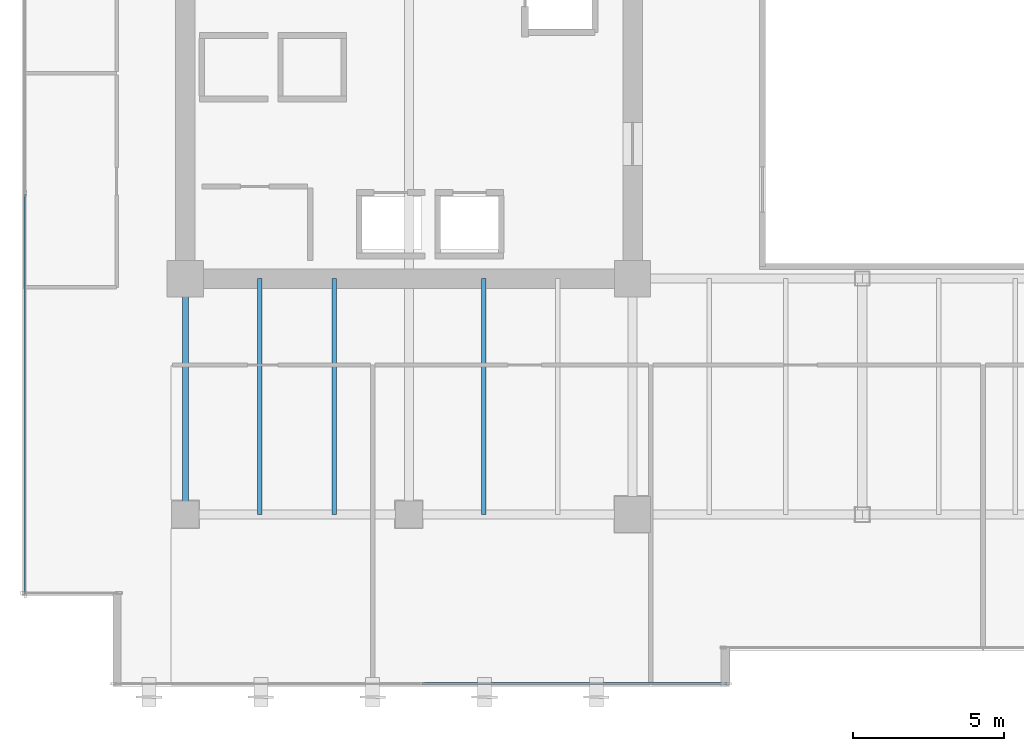
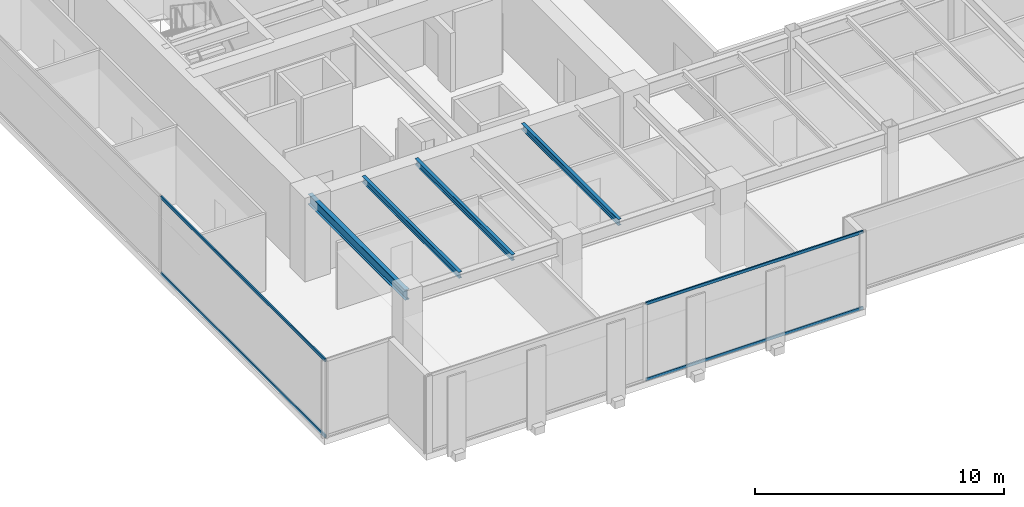
# One storey, part 3 of 34: 4 beams, 4 members, 2 elements without a shape of their own.
"""IFC4 building model written with IfcOpenShell, lengths in metres."""

from ifc_helpers import new_model, si_unit, direction, frame, origin, origin_2d, place, context, subcontext, project, spatial, hollow_rectangle, i_section, extrude, source, transform, mapped, material, layer, layer_set, material_profile, profile_set, type_object, type_shapes, element, aggregate, save


model = new_model("IFC4")

# Units and contexts
model_context = context("Model", 3, precision=1e-05, world=origin(), true_north=direction((0.0, 1.0)))
body_context = subcontext(model_context, "Body", "Model", "MODEL_VIEW")
ifc_project = project(units=[si_unit("LENGTHUNIT", "METRE"), si_unit("AREAUNIT", "SQUARE_METRE"), si_unit("VOLUMEUNIT", "CUBIC_METRE"), si_unit("PLANEANGLEUNIT", "RADIAN"), si_unit("MASSUNIT", "GRAM", prefix="KILO")], contexts=[model_context])

# Site, building, storey
site_placement = place(None, origin())
site = spatial("IfcSite", under=ifc_project, at=site_placement, CompositionType="ELEMENT")
building_placement = place(site_placement, origin())
building = spatial("IfcBuilding", under=site, at=building_placement, Name="Haelvirn Gate Laboratories", CompositionType="ELEMENT")
storey_placement = place(building_placement, frame((0.0, 0.0, 158.39990234375)))
storey = spatial("IfcBuildingStorey", under=building, at=storey_placement, Name="L38", CompositionType="ELEMENT", Elevation=158.39990234375)

# Beams
ifc_material_1 = material(Name="Steel SM355", Category="steel")
ifc_material_profile_1 = material_profile(ifc_material_1, i_section(OverallWidth=0.199951171875, OverallDepth=0.5, WebThickness=0.010009765625, FlangeThickness=0.01611328125, at=origin_2d()), Name="H-500x200x10x16")
ifc_profile_set_1 = profile_set([ifc_material_profile_1], Name="Steel SM355")
beam_type_1 = type_object("IfcBeamType", Name="BM-SP-500", PredefinedType="SPANDREL", material=ifc_profile_set_1)
shared_shape_1 = source(origin(), body_context, "Body", "SweptSolid", [
    extrude(i_section(OverallWidth=0.199951171875, OverallDepth=0.5, WebThickness=0.010009765625, FlangeThickness=0.01611328125, at=origin_2d()), origin(), (0.0, 0.0, 1.0), 7.800048828125),
])
type_shapes(beam_type_1, [shared_shape_1])
beam_placement = place(storey_placement, frame((7.39990234375, 7.0, 3.5400390625), z_axis=(0.0, 1.0, 0.0), x_axis=(-1.0, 0.0, 0.0)))
element("IfcBeam", 1, at=beam_placement, inside=storey, type_object=beam_type_1, Name="L38 Perimeter Spandrel X7.4 (7.0-14.8)", PredefinedType="SPANDREL", context=body_context, shape_type="MappedRepresentation", body=[
    mapped(shared_shape_1, transform((0.0, 0.0, 0.0), scale=1.0)),
])
ifc_material_profile_2 = material_profile(ifc_material_1, i_section(OverallWidth=0.14990234375, OverallDepth=0.300048828125, WebThickness=0.006591796875, FlangeThickness=0.009033203125, at=origin_2d()), Name="H-300x150x6.5x9")
ifc_profile_set_2 = profile_set([ifc_material_profile_2], Name="Steel SM355")
beam_type_2 = type_object("IfcBeamType", Name="BM-J-300", PredefinedType="JOIST", material=ifc_profile_set_2)
shared_shape_2 = source(origin(), body_context, "Body", "SweptSolid", [
    extrude(i_section(OverallWidth=0.14990234375, OverallDepth=0.300048828125, WebThickness=0.006591796875, FlangeThickness=0.009033203125, at=origin_2d()), origin(), (0.0, 0.0, 1.0), 7.800048828125),
])
type_shapes(beam_type_2, [shared_shape_2])
for number, where, z_axis, x_axis, name in (
    (2, (9.8701171875, 7.0, 3.64013671875), (0.0, 1.0, 0.0), (-1.0, 0.0, 0.0), "L38 Composite Lab Joist South X9.87"),
    (3, (12.330078125, 7.0, 3.64013671875), (0.0, 1.0, 0.0), (-1.0, 0.0, 0.0), "L38 Composite Lab Joist South X12.33"),
    (4, (17.27001953125, 7.0, 3.64013671875), (0.0, 1.0, 0.0), (-1.0, 0.0, 0.0), "L38 Composite Lab Joist South X17.27"),
):
    element("IfcBeam", number, at=place(storey_placement, frame(where, z_axis=z_axis, x_axis=x_axis)), inside=storey, type_object=beam_type_2, Name=name, PredefinedType="JOIST", context=body_context, shape_type="MappedRepresentation", body=[
        mapped(shared_shape_2, transform((0.0, 0.0, 0.0), scale=1.0)),
    ])

# Curtain wall, members
ifc_material_2 = material(Name="Anodised bronze unitised aluminium & triple low-E glass", Category="aluminium")
ifc_layer = layer(ifc_material_2, 0.179931640625, Name="CW-SYS-3")
ifc_layer_set = layer_set([ifc_layer], Name="Anodised bronze unitised aluminium & triple low-E glass")
curtain_wall_type = type_object("IfcCurtainWallType", Name="CW-SYS-3", PredefinedType="NOTDEFINED", material=ifc_layer_set)
curtain_wall_1_placement = place(storey_placement, origin())
curtain_wall_1 = element("IfcCurtainWall", 5, at=curtain_wall_1_placement, inside=storey, type_object=curtain_wall_type, Name="L38 Unitised Curtain Wall CW-L38-P0-E00-1", PredefinedType="NOTDEFINED")
ifc_material_3 = material(Name="Extruded aluminium 6063-T6 (anodised bronze)", Category="aluminium")
ifc_material_profile_3 = material_profile(ifc_material_3, hollow_rectangle(XDim=0.06494140625, YDim=0.139892578125, WallThickness=0.00390625, at=origin_2d()), Name="CWT-140x65x4")
ifc_profile_set_3 = profile_set([ifc_material_profile_3], Name="Extruded aluminium 6063-T6 (anodised bronze)")
member_type = type_object("IfcMemberType", Name="CWT-T140", PredefinedType="USERDEFINED", material=ifc_profile_set_3)
shared_shape_3 = source(origin(), body_context, "Body", "SweptSolid", [
    extrude(hollow_rectangle(XDim=0.06494140625, YDim=0.139892578125, WallThickness=0.00390625, at=origin_2d()), origin(), (0.0, 0.0, 1.0), 10.08740234375),
])
member_1_placement = place(storey_placement, frame((15.237548828125, 1.39990234375, 0.03271484375), z_axis=(1.0, 0.0, 0.0), x_axis=(0.0, 1.0, 0.0)))
member_1 = element("IfcMember", 6, at=member_1_placement, type_object=member_type, Name="CW3 transom 2.1", ObjectType="TRANSOM", PredefinedType="USERDEFINED", context=body_context, shape_type="MappedRepresentation", body=[
    mapped(shared_shape_3, transform((0.0, 0.0, 0.0), scale=1.0)),
])
member_2_placement = place(storey_placement, frame((15.237548828125, 1.39990234375, 3.757568359375), z_axis=(1.0, 0.0, 0.0), x_axis=(0.0, 1.0, 0.0)))
member_2 = element("IfcMember", 7, at=member_2_placement, type_object=member_type, Name="CW3 transom 2.2", ObjectType="TRANSOM", PredefinedType="USERDEFINED", context=body_context, shape_type="MappedRepresentation", body=[
    mapped(shared_shape_3, transform((0.0, 0.0, 0.0), scale=1.0)),
])
aggregate(curtain_wall_1, [member_1, member_2])

curtain_wall_2_placement = place(storey_placement, origin())
curtain_wall_2 = element("IfcCurtainWall", 8, at=curtain_wall_2_placement, inside=storey, type_object=curtain_wall_type, Name="L38 Unitised Curtain Wall CW-L38-P0-E17", PredefinedType="NOTDEFINED")
shared_shape_4 = source(origin(), body_context, "Body", "SweptSolid", [
    extrude(hollow_rectangle(XDim=0.06494140625, YDim=0.139892578125, WallThickness=0.00390625, at=origin_2d()), origin(), (0.0, 0.0, 1.0), 13.220947265625),
])
type_shapes(member_type, [shared_shape_3, shared_shape_4])
member_3_placement = place(storey_placement, frame((2.10009765625, 17.595947265625, 0.03271484375), z_axis=(0.0, -1.0, 0.0), x_axis=(1.0, 0.0, 0.0)))
member_3 = element("IfcMember", 9, at=member_3_placement, type_object=member_type, Name="CW3 transom 3.1", ObjectType="TRANSOM", PredefinedType="USERDEFINED", context=body_context, shape_type="MappedRepresentation", body=[
    mapped(shared_shape_4, transform((0.0, 0.0, 0.0), scale=1.0)),
])
member_4_placement = place(storey_placement, frame((2.10009765625, 17.595947265625, 3.757568359375), z_axis=(0.0, -1.0, 0.0), x_axis=(1.0, 0.0, 0.0)))
member_4 = element("IfcMember", 10, at=member_4_placement, type_object=member_type, Name="CW3 transom 3.2", ObjectType="TRANSOM", PredefinedType="USERDEFINED", context=body_context, shape_type="MappedRepresentation", body=[
    mapped(shared_shape_4, transform((0.0, 0.0, 0.0), scale=1.0)),
])
aggregate(curtain_wall_2, [member_3, member_4])

save(model, "model.ifc")
